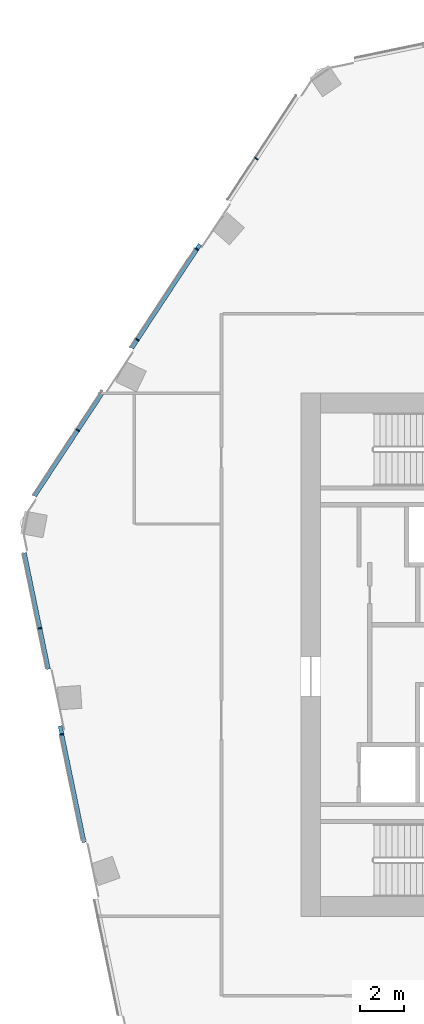
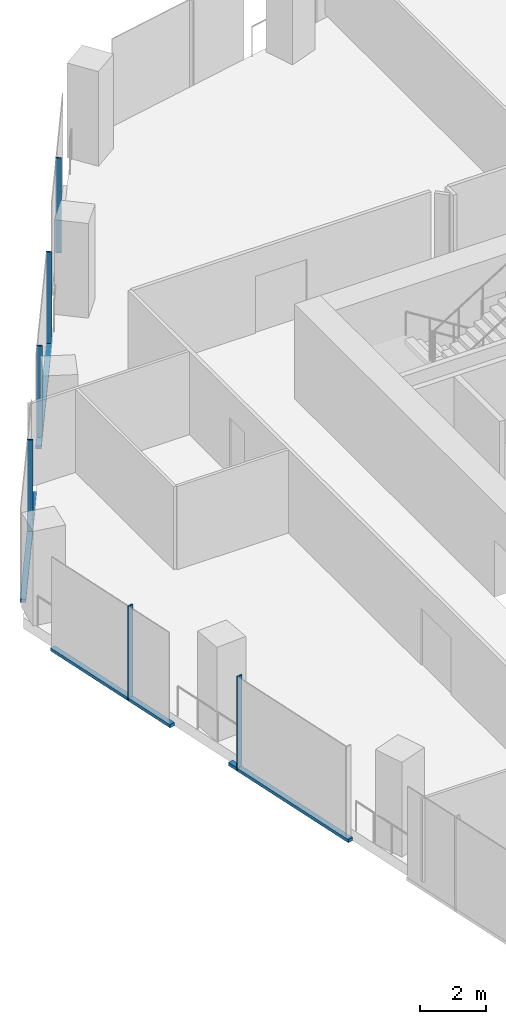
# One storey, part 6 of 26: 10 members, 2 elements without a shape of their own.
"""IFC4 building model written with IfcOpenShell, lengths in metres."""

import ifcopenshell
import ifcopenshell.guid

model = None  # the IFC model being written
_history = None  # IfcOwnerHistory: only IFC2X3 demands one
_inside = {}  # id of a spatial element -> (the spatial element, [elements in it])
_under = {}  # id of a project, library or spatial element -> (it, [spatial elements below it])
_declared = {}  # id of a project -> (the project, [libraries it declares])
_typed = {}  # id of a type object -> (the type object, [elements of that type])
_made_of = {}  # id of a material, layer set ... -> (it, [elements and type objects made of it])


def new_model(schema):
    """Start an empty IFC model of exactly this schema.

    Asked for "IFC4X3", IfcOpenShell would pick the latest addendum, in which some entities
    have other attributes; the version numbers below select the first issue.
    IFC2X3 requires an IfcOwnerHistory on every rooted entity: one is made here for all.
    """
    global model, _history
    if schema == "IFC4X3":
        model = ifcopenshell.file(schema_version=(4, 3, 0, 0))
    else:
        model = ifcopenshell.file(schema=schema)
    _inside.clear()
    _under.clear()
    _declared.clear()
    _typed.clear()
    _made_of.clear()
    _history = None
    if model.schema == "IFC2X3":
        org = make("IfcOrganization", Name="unknown")
        user = make(
            "IfcPersonAndOrganization",
            ThePerson=make("IfcPerson", FamilyName="unknown"),
            TheOrganization=org,
        )
        app = make(
            "IfcApplication",
            ApplicationDeveloper=org,
            Version="unknown",
            ApplicationFullName="unknown",
            ApplicationIdentifier="unknown",
        )
        _history = make(
            "IfcOwnerHistory",
            OwningUser=user,
            OwningApplication=app,
            ChangeAction="ADDED",
            CreationDate=0,
        )
    return model


def make(cls, **values):
    """One entity of the class cls with the attributes given. An attribute that is None is left unset."""
    return model.create_entity(
        cls, **{name: value for name, value in values.items() if value is not None}
    )


def rooted(cls, **values):
    """An entity with a GlobalId (a new one), such as an element, a storey or a relation."""
    return make(cls, GlobalId=ifcopenshell.guid.new(), OwnerHistory=_history, **values)


def si_unit(unit_type, name, prefix=None):
    """IfcSIUnit, for example si_unit("LENGTHUNIT", "METRE", prefix="MILLI")."""
    return make("IfcSIUnit", UnitType=unit_type, Prefix=prefix, Name=name)


def assignment(units):
    """IfcUnitAssignment: the units of a project."""
    return None if units is None else make("IfcUnitAssignment", Units=units)


def point(xyz):
    """IfcCartesianPoint."""
    return None if xyz is None else make("IfcCartesianPoint", Coordinates=xyz)


def direction(xyz):
    """IfcDirection."""
    return None if xyz is None else make("IfcDirection", DirectionRatios=xyz)


def frame(location, z_axis=None, x_axis=None):
    """IfcAxis2Placement3D, a coordinate frame: its origin and axes. An axis left out is left unset."""
    return make(
        "IfcAxis2Placement3D",
        Location=point(location),
        Axis=direction(z_axis),
        RefDirection=direction(x_axis),
    )


def frame_2d(location, x_axis=None):
    """IfcAxis2Placement2D, a coordinate frame in the plane: its origin and x axis."""
    return make(
        "IfcAxis2Placement2D", Location=point(location), RefDirection=direction(x_axis)
    )


def origin():
    """The frame at (0, 0, 0) with its axes left unset."""
    return frame((0.0, 0.0, 0.0))


def origin_2d():
    """The frame at (0, 0) in the plane with its x axis left unset."""
    return frame_2d((0.0, 0.0))


def place(relative_to, where):
    """IfcLocalPlacement: puts the frame where relative to a parent placement (None: the world)."""
    return make(
        "IfcLocalPlacement", PlacementRelTo=relative_to, RelativePlacement=where
    )


def context(
    kind, dimensions, precision=None, world=None, true_north=None, identifier=None
):
    """IfcGeometricRepresentationContext, for example the 3D "Model" context."""
    return make(
        "IfcGeometricRepresentationContext",
        ContextIdentifier=identifier,
        ContextType=kind,
        CoordinateSpaceDimension=dimensions,
        Precision=precision,
        WorldCoordinateSystem=world,
        TrueNorth=true_north,
    )


def subcontext(parent, identifier, kind, view, scale=None):
    """IfcGeometricRepresentationSubContext, for example "Body" below "Model"."""
    return make(
        "IfcGeometricRepresentationSubContext",
        ContextIdentifier=identifier,
        ContextType=kind,
        ParentContext=parent,
        TargetScale=scale,
        TargetView=view,
    )


def project(units=None, contexts=None):
    """IfcProject with its units and contexts."""
    return rooted(
        "IfcProject",
        Name="project",
        RepresentationContexts=contexts,
        UnitsInContext=assignment(units),
    )


def spatial(cls, under=None, at=None, **own):
    """A site, building, storey or space (cls), placed at a placement, below another one or the project."""
    s = rooted(cls, ObjectPlacement=at, **own)
    if under is not None:
        _under.setdefault(under.id(), (under, []))[1].append(s)
    return s


def profile(cls, at=None, kind="AREA", **sizes):
    """A parametric profile (cls). Its sizes go by their IFC names, for example OverallWidth=200.0."""
    return make(cls, ProfileType=kind, Position=at, **sizes)


def rectangle(**sizes):
    """IfcRectangleProfileDef."""
    return profile("IfcRectangleProfileDef", **sizes)


def extrude(swept, where, along, depth):
    """IfcExtrudedAreaSolid: the profile swept, set in the frame where, extruded along a direction by depth."""
    return make(
        "IfcExtrudedAreaSolid",
        SweptArea=swept,
        Position=where,
        ExtrudedDirection=direction(along),
        Depth=depth,
    )


def shape(context_of_items, identifier, shape_type, items):
    """IfcShapeRepresentation: the items that make up one representation, for example the "Body"."""
    return make(
        "IfcShapeRepresentation",
        ContextOfItems=context_of_items,
        RepresentationIdentifier=identifier,
        RepresentationType=shape_type,
        Items=items,
    )


def material(Name=None, Category=None):
    """IfcMaterial."""
    return make("IfcMaterial", Name=Name, Category=Category)


def material_profile(
    of_material, cross_section, Name=None, Category=None, Priority=None
):
    """IfcMaterialProfile: a cross section and its material."""
    return make(
        "IfcMaterialProfile",
        Name=Name,
        Material=of_material,
        Profile=cross_section,
        Priority=Priority,
        Category=Category,
    )


def profile_set(profiles, Name=None, composite=None):
    """IfcMaterialProfileSet."""
    return make(
        "IfcMaterialProfileSet",
        Name=Name,
        MaterialProfiles=profiles,
        CompositeProfile=composite,
    )


def made_of(thing, what):
    """Note that an element or type object is made of a material, layer set ...; save() writes the relation."""
    if what is not None:
        _made_of.setdefault(what.id(), (what, []))[1].append(thing)
    return thing


def type_object(cls, material=None, **own):
    """A type object (cls), such as IfcWallType, which elements share."""
    return made_of(rooted(cls, **own), material)


def element(
    cls,
    number,
    at=None,
    inside=None,
    cuts=None,
    type_object=None,
    material=None,
    context=None,
    identifier="Body",
    shape_type=None,
    held_by="IfcProductDefinitionShape",
    body=None,
    shapes=None,
    **own,
):
    """One element of the class cls, such as IfcWall. Its Tag is "e" and its number.

    at: its placement. inside: the storey or other place that contains it. cuts: it is an
    opening in that element (IfcRelVoidsElement). A single representation is given by context,
    identifier, shape_type and body (its items); several are given by shapes. held_by: the class
    of the entity that holds the representations. save() writes the other relations.
    """
    e = rooted(cls, Tag="e%d" % number, ObjectPlacement=at, **own)
    if body is not None:
        shapes = [shape(context, identifier, shape_type, body)]
    if shapes is not None:
        e.Representation = make(held_by, Representations=shapes)
    if inside is not None:
        _inside.setdefault(inside.id(), (inside, []))[1].append(e)
    if cuts is not None:
        rooted(
            "IfcRelVoidsElement", RelatingBuildingElement=cuts, RelatedOpeningElement=e
        )
    if type_object is not None:
        _typed.setdefault(type_object.id(), (type_object, []))[1].append(e)
    return made_of(e, material)


def aggregate(whole, parts):
    """IfcRelAggregates: a whole, such as a stair, and the parts it consists of."""
    return rooted("IfcRelAggregates", RelatingObject=whole, RelatedObjects=parts)


def save(model, path):
    """Write the relations noted so far, then the file.

    IfcRelAggregates (storeys below a building ...), IfcRelContainedInSpatialStructure (elements
    in a storey), IfcRelDefinesByType, IfcRelAssociatesMaterial and IfcRelDeclares: one each for
    every whole, place, type object, material and project.
    """
    for whole, parts in _under.values():
        aggregate(whole, parts)
    for where, things in _inside.values():
        rooted(
            "IfcRelContainedInSpatialStructure",
            RelatedElements=things,
            RelatingStructure=where,
        )
    for kind, things in _typed.values():
        rooted("IfcRelDefinesByType", RelatedObjects=things, RelatingType=kind)
    for what, things in _made_of.values():
        rooted("IfcRelAssociatesMaterial", RelatedObjects=things, RelatingMaterial=what)
    for by, libraries in _declared.values():
        rooted("IfcRelDeclares", RelatingContext=by, RelatedDefinitions=libraries)
    model.write(path)


model = new_model("IFC4")

# Units and contexts
model_context = context("Model", 3, precision=1e-05, world=origin(), true_north=direction((0.0, 1.0)))
body_context = subcontext(model_context, "Body", "Model", "MODEL_VIEW")
ifc_project = project(units=[si_unit("LENGTHUNIT", "METRE"), si_unit("AREAUNIT", "SQUARE_METRE"), si_unit("VOLUMEUNIT", "CUBIC_METRE"), si_unit("PLANEANGLEUNIT", "RADIAN"), si_unit("MASSUNIT", "GRAM", prefix="KILO")], contexts=[model_context])

# Site, building, storey
site_placement = place(None, origin())
site = spatial("IfcSite", under=ifc_project, at=site_placement, CompositionType="ELEMENT")
building_placement = place(site_placement, origin())
building = spatial("IfcBuilding", under=site, at=building_placement, Name="Orlundy Tower", CompositionType="ELEMENT")
storey_placement = place(building_placement, frame((0.0, 0.0, 232.0)))
storey = spatial("IfcBuildingStorey", under=building, at=storey_placement, Name="L61", CompositionType="ELEMENT", Elevation=232.0)

# Curtain wall, members
ifc_material_1 = material(Name="Aluminium bronze anodised", Category="aluminium")
curtain_wall_type = type_object("IfcCurtainWallType", Name="CW1 wall", PredefinedType="NOTDEFINED", material=ifc_material_1)
curtain_wall_1_placement = place(storey_placement, origin())
curtain_wall_1 = element("IfcCurtainWall", 1, at=curtain_wall_1_placement, inside=storey, type_object=curtain_wall_type, Name="CW1 run 014", PredefinedType="NOTDEFINED")
ifc_material_2 = material(Name="Aluminium bronze anodised", Category="aluminium")
ifc_material_profile_1 = material_profile(ifc_material_2, rectangle(XDim=0.179931640625, YDim=0.050048828125, at=origin_2d()), Name="CW1 mullion 50x180")
ifc_profile_set_1 = profile_set([ifc_material_profile_1], Name="Aluminium bronze anodised")
member_type_1 = type_object("IfcMemberType", Name="CW1 mullion 50x180", PredefinedType="MULLION", material=ifc_profile_set_1)
member_1_placement = place(storey_placement, frame((-29.970703125, -3.65087890625, -0.39990234375), z_axis=(0.0, 0.0, 1.0), x_axis=(-0.979337428215, -0.202233038095, 0.0)))
member_1 = element("IfcMember", 2, at=member_1_placement, type_object=member_type_1, Name="CW1 mullion 25", PredefinedType="MULLION", context=body_context, shape_type="SweptSolid", body=[
    extrude(rectangle(XDim=0.179931640625, YDim=0.050048828125, at=origin_2d()), origin(), (0.0, 0.0, 1.0), 3.5),
])
member_2_placement = place(storey_placement, frame((-30.975830078125, 1.217041015625, -0.39990234375), z_axis=(0.0, 0.0, 1.0), x_axis=(-0.979337428215, -0.202233038095, 0.0)))
member_2 = element("IfcMember", 3, at=member_2_placement, type_object=member_type_1, Name="CW1 mullion 26", PredefinedType="MULLION", context=body_context, shape_type="SweptSolid", body=[
    extrude(rectangle(XDim=0.179931640625, YDim=0.050048828125, at=origin_2d()), origin(), (0.0, 0.0, 1.0), 3.5),
])

curtain_wall_2_placement = place(storey_placement, origin())
curtain_wall_2 = element("IfcCurtainWall", 4, at=curtain_wall_2_placement, inside=storey, type_object=curtain_wall_type, Name="CW1 run 015", PredefinedType="NOTDEFINED")
member_3_placement = place(storey_placement, frame((-29.23681640625, 10.30517578125, -0.39990234375), z_axis=(0.0, 0.0, 1.0), x_axis=(-0.835482225793, 0.5495174705, 0.0)))
member_3 = element("IfcMember", 5, at=member_3_placement, type_object=member_type_1, Name="CW1 mullion 28", PredefinedType="MULLION", context=body_context, shape_type="SweptSolid", body=[
    extrude(rectangle(XDim=0.179931640625, YDim=0.050048828125, at=origin_2d()), origin(), (0.0, 0.0, 1.0), 3.5),
])
member_4_placement = place(storey_placement, frame((-26.50537109375, 14.4580078125, -0.39990234375), z_axis=(0.0, 0.0, 1.0), x_axis=(-0.835482225793, 0.5495174705, 0.0)))
member_4 = element("IfcMember", 6, at=member_4_placement, type_object=member_type_1, Name="CW1 mullion 29", PredefinedType="MULLION", context=body_context, shape_type="SweptSolid", body=[
    extrude(rectangle(XDim=0.179931640625, YDim=0.050048828125, at=origin_2d()), origin(), (0.0, 0.0, 1.0), 3.5),
])
member_5_placement = place(storey_placement, frame((-23.77392578125, 18.61083984375, -0.39990234375), z_axis=(0.0, 0.0, 1.0), x_axis=(-0.835482225793, 0.5495174705, 0.0)))
member_5 = element("IfcMember", 7, at=member_5_placement, type_object=member_type_1, Name="CW1 mullion 30", PredefinedType="MULLION", context=body_context, shape_type="SweptSolid", body=[
    extrude(rectangle(XDim=0.179931640625, YDim=0.050048828125, at=origin_2d()), origin(), (0.0, 0.0, 1.0), 3.5),
])
member_6_placement = place(storey_placement, frame((-21.04248046875, 22.763671875, -0.39990234375), z_axis=(0.0, 0.0, 1.0), x_axis=(-0.835482225793, 0.5495174705, 0.0)))
member_6 = element("IfcMember", 8, at=member_6_placement, type_object=member_type_1, Name="CW1 mullion 31", PredefinedType="MULLION", context=body_context, shape_type="SweptSolid", body=[
    extrude(rectangle(XDim=0.179931640625, YDim=0.050048828125, at=origin_2d()), origin(), (0.0, 0.0, 1.0), 3.5),
])

# Member
ifc_material_3 = material(Name="Aluminium bronze anodised", Category="aluminium")
ifc_material_profile_2 = material_profile(ifc_material_3, rectangle(XDim=0.179931640625, YDim=0.1201171875, at=origin_2d()), Name="CW1 transom 180x120")
ifc_profile_set_2 = profile_set([ifc_material_profile_2], Name="Aluminium bronze anodised")
member_type_2 = type_object("IfcMemberType", Name="CW1 transom 180x120", PredefinedType="USERDEFINED", material=ifc_profile_set_2)
member_7_placement = place(storey_placement, frame((-28.94580078125, -8.61376953125, -0.340087890625), z_axis=(-0.202259651283, 0.979331932219, 0.0), x_axis=(-0.979331932219, -0.202259651283, 0.0)))
member_7 = element("IfcMember", 9, at=member_7_placement, type_object=member_type_2, Name="CW1 transom", ObjectType="TRANSOM", PredefinedType="USERDEFINED", context=body_context, shape_type="SweptSolid", body=[
    extrude(rectangle(XDim=0.179931640625, YDim=0.1201171875, at=origin_2d()), origin(), (0.0, 0.0, 1.0), 5.460693359375),
])

member_8_placement = place(storey_placement, frame((-30.587890625, -0.662353515625, -0.340087890625), z_axis=(-0.202221827453, 0.979339743144, 0.0), x_axis=(-0.979339743144, -0.202221827453, 0.0)))
member_8 = element("IfcMember", 10, at=member_8_placement, type_object=member_type_2, Name="CW1 transom", ObjectType="TRANSOM", PredefinedType="USERDEFINED", context=body_context, shape_type="SweptSolid", body=[
    extrude(rectangle(XDim=0.179931640625, YDim=0.1201171875, at=origin_2d()), origin(), (0.0, 0.0, 1.0), 5.448486328125),
])

aggregate(curtain_wall_1, [member_1, member_2, member_7, member_8])

member_9_placement = place(storey_placement, frame((-31.220947265625, 7.28857421875, -0.340087890625), z_axis=(0.549518128776, 0.835481792827, 0.0), x_axis=(-0.835481792827, 0.549518128776, 0.0)))
member_9 = element("IfcMember", 11, at=member_9_placement, type_object=member_type_2, Name="CW1 transom", ObjectType="TRANSOM", PredefinedType="USERDEFINED", context=body_context, shape_type="SweptSolid", body=[
    extrude(rectangle(XDim=0.179931640625, YDim=0.1201171875, at=origin_2d()), origin(), (0.0, 0.0, 1.0), 5.697998046875),
])

member_10_placement = place(storey_placement, frame((-26.760498046875, 14.0703125, -0.340087890625), z_axis=(0.549518930862, 0.835481265274, 0.0), x_axis=(-0.835481265274, 0.549518930862, 0.0)))
member_10 = element("IfcMember", 12, at=member_10_placement, type_object=member_type_2, Name="CW1 transom", ObjectType="TRANSOM", PredefinedType="USERDEFINED", context=body_context, shape_type="SweptSolid", body=[
    extrude(rectangle(XDim=0.179931640625, YDim=0.1201171875, at=origin_2d()), origin(), (0.0, 0.0, 1.0), 5.69873046875),
])

aggregate(curtain_wall_2, [member_3, member_4, member_5, member_6, member_9, member_10])

save(model, "model.ifc")
